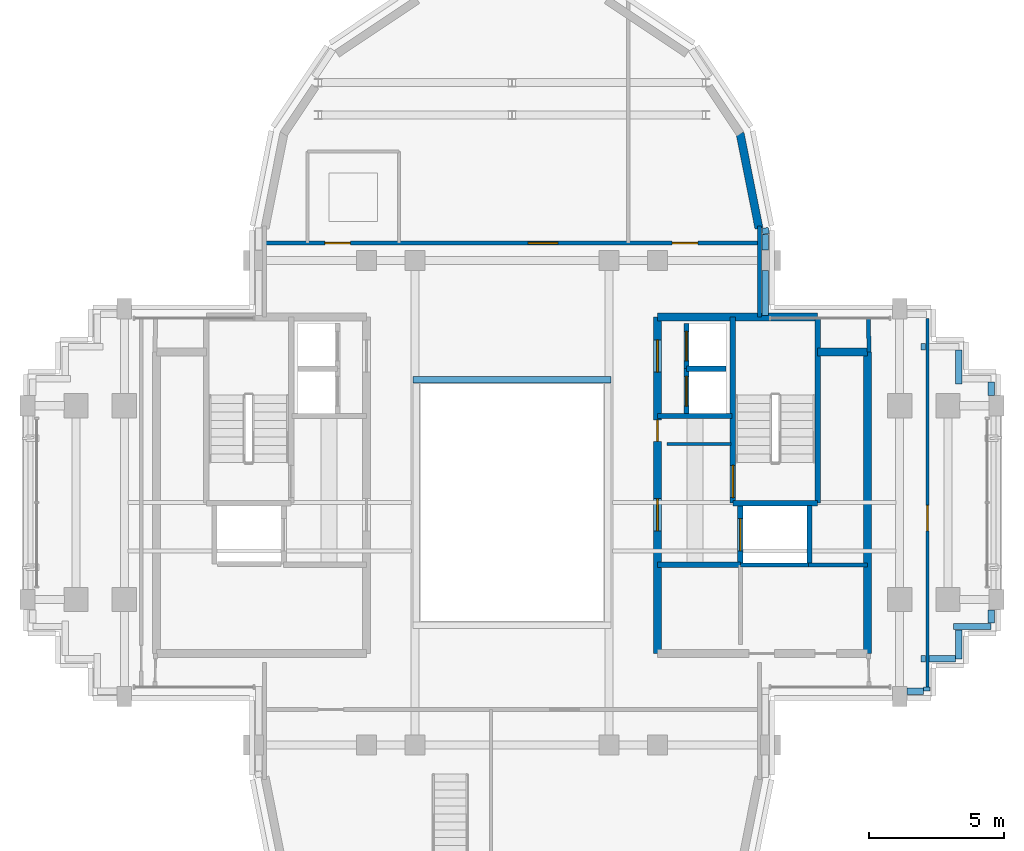
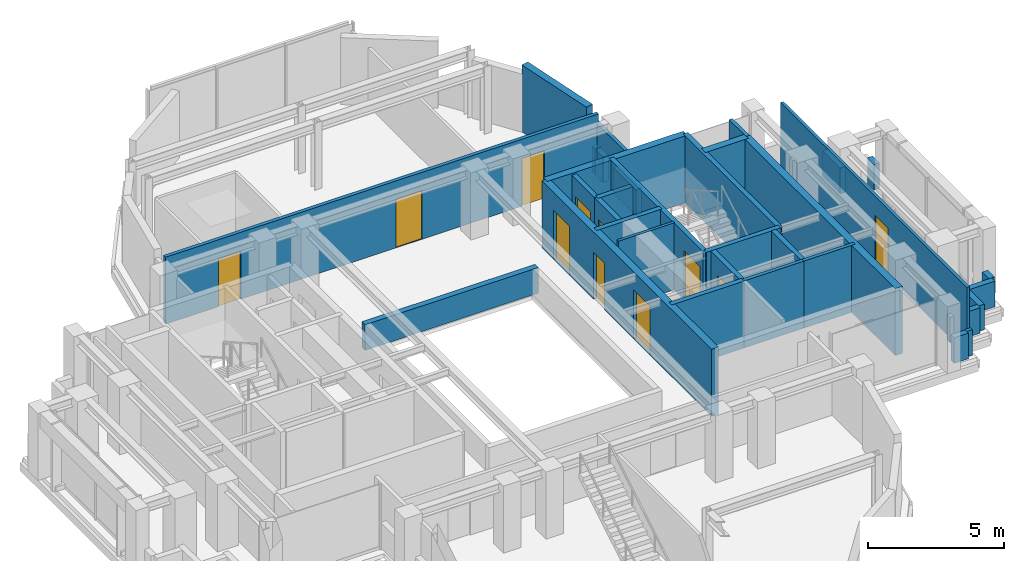
# One storey, part 9 of 12: 36 walls, 11 doors, 11 openings.
"""IFC4 building model written with IfcOpenShell, lengths in metres."""

from ifc_helpers import new_model, si_unit, direction, frame, frame_2d, origin, place, context, subcontext, project, spatial, rectangle, extrude, source, transform, mapped, material, layer, layer_set, type_object, element, fill, save


model = new_model("IFC4")

# Units and contexts
model_context = context("Model", 3, precision=1e-05, world=origin(), true_north=direction((0.0, 1.0)))
body_context = subcontext(model_context, "Body", "Model", "MODEL_VIEW")
ifc_project = project(units=[si_unit("LENGTHUNIT", "METRE"), si_unit("AREAUNIT", "SQUARE_METRE"), si_unit("VOLUMEUNIT", "CUBIC_METRE"), si_unit("PLANEANGLEUNIT", "RADIAN"), si_unit("MASSUNIT", "GRAM", prefix="KILO")], contexts=[model_context])

# Site, building, storey
site_placement = place(None, origin())
site = spatial("IfcSite", under=ifc_project, at=site_placement, CompositionType="ELEMENT")
building_placement = place(site_placement, origin())
building = spatial("IfcBuilding", under=site, at=building_placement, Name="Keilestroom Media Tower", CompositionType="ELEMENT")
storey_placement = place(building_placement, frame((0.0, 0.0, 239.60009765625)))
storey = spatial("IfcBuildingStorey", under=building, at=storey_placement, Name="L66", CompositionType="ELEMENT", Elevation=239.60009765625)

# Walls
ifc_material_1 = material(Name="Precast concrete C40/50", Category="concrete")
ifc_layer_1 = layer(ifc_material_1, 0.300048828125)
ifc_layer_set_1 = layer_set([ifc_layer_1], Name="Precast concrete C40/50")
wall_type_1 = type_object("IfcWallType", Name="Exterior-Masonry-Spandrel-Wall-300", PredefinedType="SOLIDWALL", material=ifc_layer_set_1)
wall_1_placement = place(storey_placement, frame((9.1748046875, 10.185302734375, 0.0), z_axis=(0.0, 0.0, 1.0), x_axis=(-0.195114232679, 0.980780523974, 0.0)))
element("IfcWall", 1, at=wall_1_placement, inside=storey, type_object=wall_type_1, Name="L66 Lobe Facet Precast Frame Wall 01", PredefinedType="SOLIDWALL", context=body_context, shape_type="SweptSolid", body=[
    extrude(rectangle(XDim=3.608642578125, YDim=0.300048828125, at=frame_2d((1.80419921875, 0.0))), origin(), (0.0, 0.0, 1.0), 3.010009765625),
])
ifc_material_2 = material(Name="Gypsum Plasterboard & Steel Stud", Category="steel")
ifc_layer_2 = layer(ifc_material_2, 0.1201171875)
ifc_layer_set_2 = layer_set([ifc_layer_2], Name="Gypsum Plasterboard & Steel Stud")
wall_type_2 = type_object("IfcWallType", Name="Interior-Partition-Wall-120", PredefinedType="PARTITIONING", material=ifc_layer_set_2)
wall_2_placement = place(storey_placement, frame((5.75, 2.179931640625, 0.0), z_axis=(0.0, 0.0, 1.0), x_axis=(1.0, 0.0, 0.0)))
element("IfcWall", 2, at=wall_2_placement, inside=storey, type_object=wall_type_2, Name="L66 Interior Wall WP-L66-CIE-S", PredefinedType="PARTITIONING", context=body_context, shape_type="SweptSolid", body=[
    extrude(rectangle(XDim=2.389892578125, YDim=0.1201171875, at=frame_2d((1.19482421875, 0.0))), origin(), (0.0, 0.0, 1.0), 3.010009765625),
])

# Wall, opening, door
wall_3_placement = place(storey_placement, frame((15.429931640625, -6.85009765625, 0.0), z_axis=(0.0, 0.0, 1.0), x_axis=(0.0, 1.0, 0.0)))
wall_3 = element("IfcWall", 3, at=wall_3_placement, inside=storey, type_object=wall_type_2, Name="L66 Interior Wall WP-L66-EA-V", PredefinedType="PARTITIONING", context=body_context, shape_type="SweptSolid", body=[
    extrude(rectangle(XDim=13.7001953125, YDim=0.1201171875, at=frame_2d((6.85009765625, 0.0))), origin(), (0.0, 0.0, 1.0), 3.010009765625),
])
opening_1_placement = place(wall_3_placement, frame((5.800048828125, 0.0, 0.0)))
opening_1 = element("IfcOpeningElement", 4, at=opening_1_placement, cuts=wall_3, Name="Opening DI-03", PredefinedType="OPENING", context=body_context, shape_type="SweptSolid", body=[
    extrude(rectangle(XDim=0.949951171875, YDim=2.14990234375, at=frame_2d((0.47509765625, 1.074951171875))), frame((0.0, 0.070068359375, 0.0), z_axis=(0.0, -1.0, 0.0), x_axis=(1.0, 0.0, 0.0)), (0.0, 0.0, 1.0), 0.14013671875),
])
ifc_material_3 = material(Name="Lacquered European Oak Leaf", Category="wood")
door_type_1 = type_object("IfcDoorType", Name="Interior-Room-And-Suite-Door-DI-03", OperationType="NOTDEFINED", PredefinedType="DOOR", material=ifc_material_3)
shared_shape_1 = source(origin(), body_context, "Body", "SweptSolid", [
    extrude(rectangle(XDim=0.949951171875, YDim=2.14990234375, at=frame_2d((0.47509765625, 1.074951171875))), frame((0.0, 0.02490234375, 0.0), z_axis=(0.0, -1.0, 0.0), x_axis=(1.0, 0.0, 0.0)), (0.0, 0.0, 1.0), 0.050048828125),
])
door_1_placement = place(opening_1_placement, origin())
door_1 = element("IfcDoor", 5, at=door_1_placement, inside=storey, type_object=door_type_1, Name="L66 Interior Door DI-L66-DEA-E", OperationType="SINGLE_SWING_RIGHT", OverallHeight=2.14990234375, OverallWidth=0.949951171875, PredefinedType="DOOR", context=body_context, shape_type="MappedRepresentation", body=[
    mapped(shared_shape_1, transform((0.0, 0.0, 0.0), x_axis=(1.0, 0.0, 0.0), y_axis=(0.0, 1.0, 0.0), z_axis=(0.0, 0.0, 1.0), scale=1.0)),
])
fill(opening_1, door_1)

# Walls
ifc_layer_3 = layer(ifc_material_2, 0.14990234375)
ifc_layer_set_3 = layer_set([ifc_layer_3], Name="Gypsum Plasterboard & Steel Stud")
wall_type_3 = type_object("IfcWallType", Name="Interior-Partition-Wall-150", PredefinedType="PARTITIONING", material=ifc_layer_set_3)
wall_4_placement = place(storey_placement, frame((11.02001953125, -2.320068359375, 0.0), z_axis=(0.0, 0.0, 1.0), x_axis=(1.0, 0.0, 0.0)))
element("IfcWall", 6, at=wall_4_placement, inside=storey, type_object=wall_type_3, Name="L66 Interior Wall WP-L66-RECLE-N", PredefinedType="PARTITIONING", context=body_context, shape_type="SweptSolid", body=[
    extrude(rectangle(XDim=2.179931640625, YDim=0.14990234375, at=frame_2d((1.08984375, 0.0))), origin(), (0.0, 0.0, 1.0), 3.010009765625),
])
wall_5_placement = place(storey_placement, frame((8.47998046875, -2.320068359375, 0.0), z_axis=(0.0, 0.0, 1.0), x_axis=(1.0, 0.0, 0.0)))
element("IfcWall", 7, at=wall_5_placement, inside=storey, type_object=wall_type_3, Name="L66 Interior Wall WP-L66-RECME-N", PredefinedType="PARTITIONING", context=body_context, shape_type="SweptSolid", body=[
    extrude(rectangle(XDim=2.56005859375, YDim=0.14990234375, at=frame_2d((1.280029296875, 0.0))), origin(), (0.0, 0.0, 1.0), 3.010009765625),
])

# Wall, openings, doors
wall_6_placement = place(storey_placement, frame((-9.199951171875, 9.639892578125, 0.0), z_axis=(0.0, 0.0, 1.0), x_axis=(1.0, 0.0, 0.0)))
wall_6 = element("IfcWall", 8, at=wall_6_placement, inside=storey, type_object=wall_type_3, Name="L66 Interior Wall WP-L66-NL-BASE", PredefinedType="PARTITIONING", context=body_context, shape_type="SweptSolid", body=[
    extrude(rectangle(XDim=18.39990234375, YDim=0.14990234375, at=frame_2d((9.199951171875, 0.0))), origin(), (0.0, 0.0, 1.0), 3.010009765625),
])
opening_2_placement = place(wall_6_placement, frame((2.25, 0.0, 0.0)))
opening_2 = element("IfcOpeningElement", 9, at=opening_2_placement, cuts=wall_6, Name="Opening DI-03", PredefinedType="OPENING", context=body_context, shape_type="SweptSolid", body=[
    extrude(rectangle(XDim=0.949951171875, YDim=2.14990234375, at=frame_2d((0.47509765625, 1.074951171875))), frame((0.0, 0.0849609375, 0.0), z_axis=(0.0, -1.0, 0.0), x_axis=(1.0, 0.0, 0.0)), (0.0, 0.0, 1.0), 0.169921875),
])
opening_3_placement = place(wall_6_placement, frame((9.800048828125, 0.0, 0.0)))
opening_3 = element("IfcOpeningElement", 10, at=opening_3_placement, cuts=wall_6, Name="Opening DI-04", PredefinedType="OPENING", context=body_context, shape_type="SweptSolid", body=[
    extrude(rectangle(XDim=1.10009765625, YDim=2.199951171875, at=frame_2d((0.550048828125, 1.10009765625))), frame((0.0, 0.0849609375, 0.0), z_axis=(0.0, -1.0, 0.0), x_axis=(1.0, 0.0, 0.0)), (0.0, 0.0, 1.0), 0.169921875),
])
opening_4_placement = place(wall_6_placement, frame((15.14990234375, 0.0, 0.0)))
opening_4 = element("IfcOpeningElement", 11, at=opening_4_placement, cuts=wall_6, Name="Opening DI-03", PredefinedType="OPENING", context=body_context, shape_type="SweptSolid", body=[
    extrude(rectangle(XDim=0.949951171875, YDim=2.14990234375, at=frame_2d((0.47509765625, 1.074951171875))), frame((0.0, 0.0849609375, 0.0), z_axis=(0.0, -1.0, 0.0), x_axis=(1.0, 0.0, 0.0)), (0.0, 0.0, 1.0), 0.169921875),
])
door_2_placement = place(opening_2_placement, origin())
door_2 = element("IfcDoor", 12, at=door_2_placement, inside=storey, type_object=door_type_1, Name="L66 Interior Door DI-L66-DNL-WC", OperationType="SINGLE_SWING_LEFT", OverallHeight=2.14990234375, OverallWidth=0.949951171875, PredefinedType="DOOR", context=body_context, shape_type="MappedRepresentation", body=[
    mapped(shared_shape_1, transform((0.0, 0.0, 0.0), x_axis=(1.0, 0.0, 0.0), y_axis=(0.0, 1.0, 0.0), z_axis=(0.0, 0.0, 1.0), scale=1.0)),
])
fill(opening_2, door_2)
door_3_placement = place(opening_4_placement, origin())
door_3 = element("IfcDoor", 13, at=door_3_placement, inside=storey, type_object=door_type_1, Name="L66 Interior Door DI-L66-DNL-B", OperationType="SINGLE_SWING_LEFT", OverallHeight=2.14990234375, OverallWidth=0.949951171875, PredefinedType="DOOR", context=body_context, shape_type="MappedRepresentation", body=[
    mapped(shared_shape_1, transform((0.0, 0.0, 0.0), x_axis=(1.0, 0.0, 0.0), y_axis=(0.0, 1.0, 0.0), z_axis=(0.0, 0.0, 1.0), scale=1.0)),
])
fill(opening_4, door_3)
ifc_material_4 = material(Name="Acoustic Glazed Aluminium Leaf", Category="aluminium")
door_type_2 = type_object("IfcDoorType", Name="Interior-Room-And-Suite-Door-DI-04", OperationType="NOTDEFINED", PredefinedType="DOOR", material=ifc_material_4)
shared_shape_2 = source(origin(), body_context, "Body", "SweptSolid", [
    extrude(rectangle(XDim=1.10009765625, YDim=2.199951171875, at=frame_2d((0.550048828125, 1.10009765625))), frame((0.0, 0.02490234375, 0.0), z_axis=(0.0, -1.0, 0.0), x_axis=(1.0, 0.0, 0.0)), (0.0, 0.0, 1.0), 0.050048828125),
])
door_4_placement = place(opening_3_placement, origin())
door_4 = element("IfcDoor", 14, at=door_4_placement, inside=storey, type_object=door_type_2, Name="L66 Interior Door DI-L66-DNL-A", OperationType="SINGLE_SWING_RIGHT", OverallHeight=2.199951171875, OverallWidth=1.10009765625, PredefinedType="DOOR", context=body_context, shape_type="MappedRepresentation", body=[
    mapped(shared_shape_2, transform((0.0, 0.0, 0.0), x_axis=(1.0, 0.0, 0.0), y_axis=(0.0, 1.0, 0.0), z_axis=(0.0, 0.0, 1.0), scale=1.0)),
])
fill(opening_3, door_4)

# Walls
wall_7_placement = place(storey_placement, frame((9.199951171875, 6.89990234375, 0.0), z_axis=(0.0, 0.0, 1.0), x_axis=(0.0, 1.0, 0.0)))
element("IfcWall", 15, at=wall_7_placement, inside=storey, type_object=wall_type_3, Name="L66 Interior Wall WP-L66-NL-CHKE", PredefinedType="PARTITIONING", context=body_context, shape_type="SweptSolid", body=[
    extrude(rectangle(XDim=3.380126953125, YDim=0.14990234375, at=frame_2d((1.68994140625, 0.0))), origin(), (0.0, 0.0, 1.0), 2.60986328125),
])
wall_8_placement = place(storey_placement, frame((13.260009765625, 5.60009765625, 0.0), z_axis=(0.0, 0.0, 1.0), x_axis=(-0.016013571389, 0.999871774545, 0.0)))
element("IfcWall", 16, at=wall_8_placement, inside=storey, type_object=wall_type_3, Name="L66 Interior Wall WP-L66-EA-ENTN", PredefinedType="PARTITIONING", context=body_context, shape_type="SweptSolid", body=[
    extrude(rectangle(XDim=1.250244140625, YDim=0.14990234375, at=frame_2d((0.625, 0.0))), origin(), (0.0, 0.0, 1.0), 3.010009765625),
])
ifc_material_5 = material(Name="Concrete C50/60", Category="concrete")
ifc_layer_4 = layer(ifc_material_5, 0.300048828125)
ifc_layer_set_4 = layer_set([ifc_layer_4], Name="Concrete C50/60")
wall_type_4 = type_object("IfcWallType", Name="Reinforced-Concrete-Core-Shear-Wall-300", PredefinedType="SHEAR", material=ifc_layer_set_4)
wall_9_placement = place(storey_placement, frame((13.199951171875, -5.60009765625, 0.0), z_axis=(0.0, 0.0, 1.0), x_axis=(0.0, 1.0, 0.0)))
element("IfcWall", 17, at=wall_9_placement, inside=storey, type_object=wall_type_4, Name="L66 Core Shear Wall WL-L66-CORE-E-OUT", PredefinedType="SHEAR", context=body_context, shape_type="SweptSolid", body=[
    extrude(rectangle(XDim=11.2001953125, YDim=0.300048828125, at=frame_2d((5.60009765625, 0.0))), origin(), (0.0, 0.0, 1.0), 3.010009765625),
])

# Wall, openings, doors
wall_10_placement = place(storey_placement, frame((5.39990234375, -5.60009765625, 0.0), z_axis=(0.0, 0.0, 1.0), x_axis=(0.0, 1.0, 0.0)))
wall_10 = element("IfcWall", 18, at=wall_10_placement, inside=storey, type_object=wall_type_4, Name="L66 Core Shear Wall WL-L66-CORE-E-IN", PredefinedType="SHEAR", context=body_context, shape_type="SweptSolid", body=[
    extrude(rectangle(XDim=12.5, YDim=0.300048828125, at=frame_2d((6.25, 0.0))), origin(), (0.0, 0.0, 1.0), 3.010009765625),
])
opening_5_placement = place(wall_10_placement, frame((4.550048828125, 0.0, 0.0)))
opening_5 = element("IfcOpeningElement", 19, at=opening_5_placement, cuts=wall_10, Name="Opening DI-02", PredefinedType="OPENING", context=body_context, shape_type="SweptSolid", body=[
    extrude(rectangle(XDim=1.199951171875, YDim=2.199951171875, at=frame_2d((0.60009765625, 1.10009765625))), frame((0.0, 0.16015625, 0.0), z_axis=(0.0, -1.0, 0.0), x_axis=(1.0, 0.0, 0.0)), (0.0, 0.0, 1.0), 0.320068359375),
])
opening_6_placement = place(wall_10_placement, frame((10.449951171875, 0.0, 0.0)))
opening_6 = element("IfcOpeningElement", 20, at=opening_6_placement, cuts=wall_10, Name="Opening DI-02", PredefinedType="OPENING", context=body_context, shape_type="SweptSolid", body=[
    extrude(rectangle(XDim=1.199951171875, YDim=2.199951171875, at=frame_2d((0.60009765625, 1.10009765625))), frame((0.0, 0.16015625, 0.0), z_axis=(0.0, -1.0, 0.0), x_axis=(1.0, 0.0, 0.0)), (0.0, 0.0, 1.0), 0.320068359375),
])
opening_7_placement = place(wall_10_placement, frame((7.8798828125, 0.0, 0.0)))
opening_7 = element("IfcOpeningElement", 21, at=opening_7_placement, cuts=wall_10, Name="Opening DI-06", PredefinedType="OPENING", context=body_context, shape_type="SweptSolid", body=[
    extrude(rectangle(XDim=0.800048828125, YDim=2.10009765625, at=frame_2d((0.39990234375, 1.050048828125))), frame((0.0, 0.16015625, 0.0), z_axis=(0.0, -1.0, 0.0), x_axis=(1.0, 0.0, 0.0)), (0.0, 0.0, 1.0), 0.320068359375),
])
ifc_material_6 = material(Name="Powder-Coated Steel Fire Leaf", Category="steel")
door_type_3 = type_object("IfcDoorType", Name="Interior-Compartment-Fire-Door-DI-02", OperationType="NOTDEFINED", PredefinedType="DOOR", material=ifc_material_6)
shared_shape_3 = source(origin(), body_context, "Body", "SweptSolid", [
    extrude(rectangle(XDim=1.199951171875, YDim=2.199951171875, at=frame_2d((0.60009765625, 1.10009765625))), frame((0.0, 0.02490234375, 0.0), z_axis=(0.0, -1.0, 0.0), x_axis=(1.0, 0.0, 0.0)), (0.0, 0.0, 1.0), 0.050048828125),
])
door_5_placement = place(opening_5_placement, origin())
door_5 = element("IfcDoor", 22, at=door_5_placement, inside=storey, type_object=door_type_3, Name="L66 E Firefighting Lobby Door", OperationType="SINGLE_SWING_LEFT", OverallHeight=2.199951171875, OverallWidth=1.199951171875, PredefinedType="DOOR", context=body_context, shape_type="MappedRepresentation", body=[
    mapped(shared_shape_3, transform((0.0, 0.0, 0.0), x_axis=(1.0, 0.0, 0.0), y_axis=(0.0, 1.0, 0.0), z_axis=(0.0, 0.0, 1.0), scale=1.0)),
])
fill(opening_5, door_5)
door_6_placement = place(opening_6_placement, origin())
door_6 = element("IfcDoor", 23, at=door_6_placement, inside=storey, type_object=door_type_3, Name="L66 E High-Rise Lift Lobby Door", OperationType="SINGLE_SWING_RIGHT", OverallHeight=2.199951171875, OverallWidth=1.199951171875, PredefinedType="DOOR", context=body_context, shape_type="MappedRepresentation", body=[
    mapped(shared_shape_3, transform((0.0, 0.0, 0.0), x_axis=(1.0, 0.0, 0.0), y_axis=(0.0, 1.0, 0.0), z_axis=(0.0, 0.0, 1.0), scale=1.0)),
])
fill(opening_6, door_6)
ifc_material_7 = material(Name="Powder-Coated Steel Service Leaf", Category="steel")
door_type_4 = type_object("IfcDoorType", Name="Interior-Riser-Access-Door-DI-06", OperationType="NOTDEFINED", PredefinedType="DOOR", material=ifc_material_7)
shared_shape_4 = source(origin(), body_context, "Body", "SweptSolid", [
    extrude(rectangle(XDim=0.800048828125, YDim=2.10009765625, at=frame_2d((0.39990234375, 1.050048828125))), frame((0.0, 0.02490234375, 0.0), z_axis=(0.0, -1.0, 0.0), x_axis=(1.0, 0.0, 0.0)), (0.0, 0.0, 1.0), 0.050048828125),
])
door_7_placement = place(opening_7_placement, origin())
door_7 = element("IfcDoor", 24, at=door_7_placement, inside=storey, type_object=door_type_4, Name="L66 East Core Closet Door", OperationType="SINGLE_SWING_RIGHT", OverallHeight=2.10009765625, OverallWidth=0.800048828125, PredefinedType="DOOR", context=body_context, shape_type="MappedRepresentation", body=[
    mapped(shared_shape_4, transform((0.0, 0.0, 0.0), x_axis=(1.0, 0.0, 0.0), y_axis=(0.0, 1.0, 0.0), z_axis=(0.0, 0.0, 1.0), scale=1.0)),
])
fill(opening_7, door_7)

# Walls
wall_11_placement = place(storey_placement, frame((5.39990234375, 6.89990234375, 0.0), z_axis=(0.0, 0.0, 1.0), x_axis=(1.0, 0.0, 0.0)))
element("IfcWall", 25, at=wall_11_placement, inside=storey, type_object=wall_type_4, Name="L66 Core Shear Wall WL-L66-CORE-E-N", PredefinedType="SHEAR", context=body_context, shape_type="SweptSolid", body=[
    extrude(rectangle(XDim=5.9560546875, YDim=0.300048828125, at=frame_2d((2.97802734375, 0.0))), origin(), (0.0, 0.0, 1.0), 3.010009765625),
])
wall_12_placement = place(storey_placement, frame((11.35595703125, 5.60009765625, 0.0), z_axis=(0.0, 0.0, 1.0), x_axis=(1.0, 0.0, 0.0)))
element("IfcWall", 26, at=wall_12_placement, inside=storey, type_object=wall_type_4, Name="L66 Core Shear Wall WL-L66-CNE-N", PredefinedType="SHEAR", context=body_context, shape_type="SweptSolid", body=[
    extrude(rectangle(XDim=1.843994140625, YDim=0.300048828125, at=frame_2d((0.921875, 0.0))), origin(), (0.0, 0.0, 1.0), 3.010009765625),
])
ifc_layer_5 = layer(ifc_material_5, 0.199951171875)
ifc_layer_set_5 = layer_set([ifc_layer_5], Name="Concrete C50/60")
wall_type_5 = type_object("IfcWallType", Name="Reinforced-Concrete-Shaft-Wall-200", PredefinedType="SOLIDWALL", material=ifc_layer_set_5)
wall_13_placement = place(storey_placement, frame((5.39990234375, 3.219970703125, 0.0), z_axis=(0.0, 0.0, 1.0), x_axis=(1.0, 0.0, 0.0)))
element("IfcWall", 27, at=wall_13_placement, inside=storey, type_object=wall_type_5, Name="L66 Core Shear Wall WL-L66-CORE-E-FFN", PredefinedType="SOLIDWALL", context=body_context, shape_type="SweptSolid", body=[
    extrude(rectangle(XDim=2.780029296875, YDim=0.199951171875, at=frame_2d((1.39013671875, 0.0))), origin(), (0.0, 0.0, 1.0), 3.010009765625),
])
wall_14_placement = place(storey_placement, frame((5.39990234375, -2.300048828125, 0.0), z_axis=(0.0, 0.0, 1.0), x_axis=(1.0, 0.0, 0.0)))
element("IfcWall", 28, at=wall_14_placement, inside=storey, type_object=wall_type_5, Name="L66 Core Shear Wall WL-L66-CORE-E-FFS", PredefinedType="SOLIDWALL", context=body_context, shape_type="SweptSolid", body=[
    extrude(rectangle(XDim=3.080078125, YDim=0.199951171875, at=frame_2d((1.5400390625, 0.0))), origin(), (0.0, 0.0, 1.0), 3.010009765625),
])

# Wall, opening, door
wall_15_placement = place(storey_placement, frame((8.2041015625, -0.01611328125, 0.0), z_axis=(0.0, 0.0, 1.0), x_axis=(0.0, 1.0, 0.0)))
wall_15 = element("IfcWall", 29, at=wall_15_placement, inside=storey, type_object=wall_type_5, Name="L66 Core Shear Wall WL-L66-STW-E-NEAR", PredefinedType="SOLIDWALL", context=body_context, shape_type="SweptSolid", body=[
    extrude(rectangle(XDim=6.916015625, YDim=0.199951171875, at=frame_2d((3.4580078125, 0.0))), origin(), (0.0, 0.0, 1.0), 3.010009765625),
])
opening_8_placement = place(wall_15_placement, frame((0.199951171875, 0.0, 0.0)))
opening_8 = element("IfcOpeningElement", 30, at=opening_8_placement, cuts=wall_15, Name="Opening DI-01S", PredefinedType="OPENING", context=body_context, shape_type="SweptSolid", body=[
    extrude(rectangle(XDim=1.199951171875, YDim=2.199951171875, at=frame_2d((0.60009765625, 1.10009765625))), frame((0.0, 0.10986328125, 0.0), z_axis=(0.0, -1.0, 0.0), x_axis=(1.0, 0.0, 0.0)), (0.0, 0.0, 1.0), 0.219970703125),
])
door_type_5 = type_object("IfcDoorType", Name="Interior-Stair-And-Core-Fire-Door-DI-01", OperationType="NOTDEFINED", PredefinedType="DOOR", material=ifc_material_6)
door_8_placement = place(opening_8_placement, origin())
door_8 = element("IfcDoor", 31, at=door_8_placement, inside=storey, type_object=door_type_5, Name="L66 Escape Stair ST-2 Fire Door", OperationType="SINGLE_SWING_RIGHT", OverallHeight=2.199951171875, OverallWidth=1.199951171875, PredefinedType="DOOR", context=body_context, shape_type="MappedRepresentation", body=[
    mapped(shared_shape_3, transform((0.0, 0.0, 0.0), x_axis=(1.0, 0.0, 0.0), y_axis=(0.0, 1.0, 0.0), z_axis=(0.0, 0.0, 1.0), scale=1.0)),
])
fill(opening_8, door_8)

# Walls
wall_16_placement = place(storey_placement, frame((11.35595703125, -0.01611328125, 0.0), z_axis=(0.0, 0.0, 1.0), x_axis=(0.0, 1.0, 0.0)))
element("IfcWall", 32, at=wall_16_placement, inside=storey, type_object=wall_type_5, Name="L66 Core Shear Wall WL-L66-STW-E-FAR", PredefinedType="SOLIDWALL", context=body_context, shape_type="SweptSolid", body=[
    extrude(rectangle(XDim=6.916015625, YDim=0.199951171875, at=frame_2d((3.4580078125, 0.0))), origin(), (0.0, 0.0, 1.0), 3.010009765625),
])
wall_17_placement = place(storey_placement, frame((8.2041015625, -0.01611328125, 0.0), z_axis=(0.0, 0.0, 1.0), x_axis=(1.0, 0.0, 0.0)))
element("IfcWall", 33, at=wall_17_placement, inside=storey, type_object=wall_type_5, Name="L66 Core Shear Wall WL-L66-STW-E-S", PredefinedType="SOLIDWALL", context=body_context, shape_type="SweptSolid", body=[
    extrude(rectangle(XDim=3.15185546875, YDim=0.199951171875, at=frame_2d((1.575927734375, 0.0))), origin(), (0.0, 0.0, 1.0), 3.010009765625),
])

# Wall, opening, door
wall_18_placement = place(storey_placement, frame((8.47998046875, -2.280029296875, 0.0), z_axis=(0.0, 0.0, 1.0), x_axis=(0.0, 1.0, 0.0)))
wall_18 = element("IfcWall", 34, at=wall_18_placement, inside=storey, type_object=wall_type_5, Name="L66 Core Shear Wall WL-L66-LSH-FFL-2-W", PredefinedType="SOLIDWALL", context=body_context, shape_type="SweptSolid", body=[
    extrude(rectangle(XDim=2.179931640625, YDim=0.199951171875, at=frame_2d((1.08984375, 0.0))), origin(), (0.0, 0.0, 1.0), 3.010009765625),
])
opening_9_placement = place(wall_18_placement, frame((0.489990234375, 0.0, 0.0)))
opening_9 = element("IfcOpeningElement", 35, at=opening_9_placement, cuts=wall_18, Name="Opening LD-02", PredefinedType="OPENING", context=body_context, shape_type="SweptSolid", body=[
    extrude(rectangle(XDim=1.199951171875, YDim=2.199951171875, at=frame_2d((0.60009765625, 1.10009765625))), frame((0.0, 0.10986328125, 0.0), z_axis=(0.0, -1.0, 0.0), x_axis=(1.0, 0.0, 0.0)), (0.0, 0.0, 1.0), 0.219970703125),
])
ifc_material_8 = material(Name="Brushed Stainless Steel Sliding Leaf", Category="steel")
door_type_6 = type_object("IfcDoorType", Name="Lift-Landing-Sliding-Door-LD-02", OperationType="SLIDING_TO_RIGHT", PredefinedType="DOOR", material=ifc_material_8)
door_9_placement = place(opening_9_placement, origin())
door_9 = element("IfcDoor", 36, at=door_9_placement, inside=storey, type_object=door_type_6, Name="L66 Lift FFL-2 Landing Sliding Door", OperationType="SLIDING_TO_RIGHT", OverallHeight=2.199951171875, OverallWidth=1.199951171875, PredefinedType="DOOR", context=body_context, shape_type="MappedRepresentation", body=[
    mapped(shared_shape_3, transform((0.0, 0.0, 0.0), x_axis=(1.0, 0.0, 0.0), y_axis=(0.0, 1.0, 0.0), z_axis=(0.0, 0.0, 1.0), scale=1.0)),
])
fill(opening_9, door_9)

# Wall
wall_19_placement = place(storey_placement, frame((11.050048828125, -2.280029296875, 0.0), z_axis=(0.0, 0.0, 1.0), x_axis=(0.0, 1.0, 0.0)))
element("IfcWall", 37, at=wall_19_placement, inside=storey, type_object=wall_type_5, Name="L66 Core Shear Wall WL-L66-LSH-FFL-2-E", PredefinedType="SOLIDWALL", context=body_context, shape_type="SweptSolid", body=[
    extrude(rectangle(XDim=2.179931640625, YDim=0.199951171875, at=frame_2d((1.08984375, 0.0))), origin(), (0.0, 0.0, 1.0), 3.010009765625),
])

# Wall, opening, door
wall_20_placement = place(storey_placement, frame((6.47998046875, 3.300048828125, 0.0), z_axis=(0.0, 0.0, 1.0), x_axis=(0.0, 1.0, 0.0)))
wall_20 = element("IfcWall", 38, at=wall_20_placement, inside=storey, type_object=wall_type_5, Name="L66 Core Shear Wall WL-L66-LSH-PL-H3-W", PredefinedType="SOLIDWALL", context=body_context, shape_type="SweptSolid", body=[
    extrude(rectangle(XDim=1.679931640625, YDim=0.199951171875, at=frame_2d((0.83984375, 0.0))), origin(), (0.0, 0.0, 1.0), 3.010009765625),
])
opening_10_placement = place(wall_20_placement, frame((0.2900390625, 0.0, 0.0)))
opening_10 = element("IfcOpeningElement", 39, at=opening_10_placement, cuts=wall_20, Name="Opening LD-01", PredefinedType="OPENING", context=body_context, shape_type="SweptSolid", body=[
    extrude(rectangle(XDim=1.10009765625, YDim=2.199951171875, at=frame_2d((0.550048828125, 1.10009765625))), frame((0.0, 0.10986328125, 0.0), z_axis=(0.0, -1.0, 0.0), x_axis=(1.0, 0.0, 0.0)), (0.0, 0.0, 1.0), 0.219970703125),
])
door_type_7 = type_object("IfcDoorType", Name="Lift-Landing-Sliding-Door-LD-01", OperationType="SLIDING_TO_LEFT", PredefinedType="DOOR", material=ifc_material_8)
door_10_placement = place(opening_10_placement, origin())
door_10 = element("IfcDoor", 40, at=door_10_placement, inside=storey, type_object=door_type_7, Name="L66 Lift PL-H3 Landing Sliding Door", OperationType="SLIDING_TO_LEFT", OverallHeight=2.199951171875, OverallWidth=1.10009765625, PredefinedType="DOOR", context=body_context, shape_type="MappedRepresentation", body=[
    mapped(shared_shape_2, transform((0.0, 0.0, 0.0), x_axis=(1.0, 0.0, 0.0), y_axis=(0.0, 1.0, 0.0), z_axis=(0.0, 0.0, 1.0), scale=1.0)),
])
fill(opening_10, door_10)

# Wall
wall_21_placement = place(storey_placement, frame((6.47998046875, 4.97998046875, 0.0), z_axis=(0.0, 0.0, 1.0), x_axis=(1.0, 0.0, 0.0)))
element("IfcWall", 41, at=wall_21_placement, inside=storey, type_object=wall_type_5, Name="L66 Core Shear Wall WL-L66-LSH-PL-H3-N", PredefinedType="SOLIDWALL", context=body_context, shape_type="SweptSolid", body=[
    extrude(rectangle(XDim=1.469970703125, YDim=0.199951171875, at=frame_2d((0.73486328125, 0.0))), origin(), (0.0, 0.0, 1.0), 3.010009765625),
])

# Wall, opening, door
wall_22_placement = place(storey_placement, frame((6.47998046875, 4.97998046875, 0.0), z_axis=(0.0, 0.0, 1.0), x_axis=(0.0, 1.0, 0.0)))
wall_22 = element("IfcWall", 42, at=wall_22_placement, inside=storey, type_object=wall_type_5, Name="L66 Core Shear Wall WL-L66-LSH-PL-H4-W", PredefinedType="SOLIDWALL", context=body_context, shape_type="SweptSolid", body=[
    extrude(rectangle(XDim=1.669921875, YDim=0.199951171875, at=frame_2d((0.8349609375, 0.0))), origin(), (0.0, 0.0, 1.0), 3.010009765625),
])
opening_11_placement = place(wall_22_placement, frame((0.284912109375, 0.0, 0.0)))
opening_11 = element("IfcOpeningElement", 43, at=opening_11_placement, cuts=wall_22, Name="Opening LD-01", PredefinedType="OPENING", context=body_context, shape_type="SweptSolid", body=[
    extrude(rectangle(XDim=1.10009765625, YDim=2.199951171875, at=frame_2d((0.550048828125, 1.10009765625))), frame((0.0, 0.10986328125, 0.0), z_axis=(0.0, -1.0, 0.0), x_axis=(1.0, 0.0, 0.0)), (0.0, 0.0, 1.0), 0.219970703125),
])
door_11_placement = place(opening_11_placement, origin())
door_11 = element("IfcDoor", 44, at=door_11_placement, inside=storey, type_object=door_type_7, Name="L66 Lift PL-H4 Landing Sliding Door", OperationType="SLIDING_TO_LEFT", OverallHeight=2.199951171875, OverallWidth=1.10009765625, PredefinedType="DOOR", context=body_context, shape_type="MappedRepresentation", body=[
    mapped(shared_shape_2, transform((0.0, 0.0, 0.0), x_axis=(1.0, 0.0, 0.0), y_axis=(0.0, 1.0, 0.0), z_axis=(0.0, 0.0, 1.0), scale=1.0)),
])
fill(opening_11, door_11)

# Walls
ifc_layer_6 = layer(ifc_material_1, 0.239990234375)
ifc_layer_set_6 = layer_set([ifc_layer_6], Name="Precast concrete C40/50")
wall_type_6 = type_object("IfcWallType", Name="Roof-And-Terrace-Parapet-Wall-240", PredefinedType="PARAPET", material=ifc_layer_set_6)
wall_23_placement = place(storey_placement, frame((17.800048828125, -4.60009765625, 0.0), z_axis=(0.0, 0.0, 1.0), x_axis=(-1.0, 0.0, 0.0)))
element("IfcWall", 45, at=wall_23_placement, inside=storey, type_object=wall_type_6, Name="L66 Perimeter Edge Parapet Wall 01", PredefinedType="PARAPET", context=body_context, shape_type="SweptSolid", body=[
    extrude(rectangle(XDim=1.400146484375, YDim=0.239990234375, at=frame_2d((0.7001953125, 0.0))), origin(), (0.0, 0.0, 1.0), 1.14990234375),
])
wall_24_placement = place(storey_placement, frame((16.60009765625, -4.722900390625, 0.0), z_axis=(0.0, 0.0, 1.0), x_axis=(0.0, -1.0, 0.0)))
element("IfcWall", 46, at=wall_24_placement, inside=storey, type_object=wall_type_6, Name="L66 Perimeter Edge Parapet Wall 02", PredefinedType="PARAPET", context=body_context, shape_type="SweptSolid", body=[
    extrude(rectangle(XDim=1.0771484375, YDim=0.239990234375, at=frame_2d((0.53857421875, 0.0))), origin(), (0.0, 0.0, 1.0), 1.14990234375),
])
wall_25_placement = place(storey_placement, frame((16.47705078125, -5.800048828125, 0.0), z_axis=(0.0, 0.0, 1.0), x_axis=(-1.0, 0.0, 0.0)))
element("IfcWall", 47, at=wall_25_placement, inside=storey, type_object=wall_type_6, Name="L66 Perimeter Edge Parapet Wall 03", PredefinedType="PARAPET", context=body_context, shape_type="SweptSolid", body=[
    extrude(rectangle(XDim=0.984130859375, YDim=0.239990234375, at=frame_2d((0.4921875, 0.0))), origin(), (0.0, 0.0, 1.0), 1.14990234375),
])
wall_26_placement = place(storey_placement, frame((15.366943359375, -5.800048828125, 0.0), z_axis=(0.0, 0.0, 1.0), x_axis=(-1.0, 0.0, 0.0)))
element("IfcWall", 48, at=wall_26_placement, inside=storey, type_object=wall_type_6, Name="L66 Perimeter Edge Parapet Wall 04", PredefinedType="PARAPET", context=body_context, shape_type="SweptSolid", body=[
    extrude(rectangle(XDim=0.1669921875, YDim=0.239990234375, at=frame_2d((0.08349609375, 0.0))), origin(), (0.0, 0.0, 1.0), 1.14990234375),
])
wall_27_placement = place(storey_placement, frame((15.39990234375, -6.85302734375, 0.0), z_axis=(0.0, 0.0, 1.0), x_axis=(0.0, -1.0, 0.0)))
element("IfcWall", 49, at=wall_27_placement, inside=storey, type_object=wall_type_6, Name="L66 Perimeter Edge Parapet Wall 05", PredefinedType="PARAPET", context=body_context, shape_type="SweptSolid", body=[
    extrude(rectangle(XDim=0.14697265625, YDim=0.239990234375, at=frame_2d((0.073486328125, 0.0))), origin(), (0.0, 0.0, 1.0), 1.14990234375),
])
wall_28_placement = place(storey_placement, frame((15.277099609375, -7.0, 0.0), z_axis=(0.0, 0.0, 1.0), x_axis=(-1.0, 0.0, 0.0)))
element("IfcWall", 50, at=wall_28_placement, inside=storey, type_object=wall_type_6, Name="L66 Perimeter Edge Parapet Wall 06", PredefinedType="PARAPET", context=body_context, shape_type="SweptSolid", body=[
    extrude(rectangle(XDim=0.59912109375, YDim=0.239990234375, at=frame_2d((0.299560546875, 0.0))), origin(), (0.0, 0.0, 1.0), 1.14990234375),
])
wall_29_placement = place(storey_placement, frame((9.395263671875, 10.2041015625, 0.0), z_axis=(0.0, 0.0, 1.0), x_axis=(0.194859894132, -0.980831087221, 0.0)))
element("IfcWall", 51, at=wall_29_placement, inside=storey, type_object=wall_type_6, Name="L66 Perimeter Edge Parapet Wall 29", PredefinedType="PARAPET", context=body_context, shape_type="SweptSolid", body=[
    extrude(rectangle(XDim=0.224365234375, YDim=0.239990234375, at=frame_2d((0.1123046875, 0.0))), origin(), (0.0, 0.0, 1.0), 1.14990234375),
])
wall_30_placement = place(storey_placement, frame((9.39990234375, 9.957763671875, 0.0), z_axis=(0.0, 0.0, 1.0), x_axis=(0.0, -1.0, 0.0)))
element("IfcWall", 52, at=wall_30_placement, inside=storey, type_object=wall_type_6, Name="L66 Perimeter Edge Parapet Wall 30", PredefinedType="PARAPET", context=body_context, shape_type="SweptSolid", body=[
    extrude(rectangle(XDim=0.579833984375, YDim=0.239990234375, at=frame_2d((0.2900390625, 0.0))), origin(), (0.0, 0.0, 1.0), 1.14990234375),
])
wall_31_placement = place(storey_placement, frame((9.39990234375, 8.6220703125, 0.0), z_axis=(0.0, 0.0, 1.0), x_axis=(0.0, -1.0, 0.0)))
element("IfcWall", 53, at=wall_31_placement, inside=storey, type_object=wall_type_6, Name="L66 Perimeter Edge Parapet Wall 31", PredefinedType="PARAPET", context=body_context, shape_type="SweptSolid", body=[
    extrude(rectangle(XDim=1.669189453125, YDim=0.239990234375, at=frame_2d((0.83447265625, 0.0))), origin(), (0.0, 0.0, 1.0), 1.14990234375),
])
wall_32_placement = place(storey_placement, frame((15.199951171875, 5.800048828125, 0.0), z_axis=(0.0, 0.0, 1.0), x_axis=(1.0, 0.0, 0.0)))
element("IfcWall", 54, at=wall_32_placement, inside=storey, type_object=wall_type_6, Name="L66 Perimeter Edge Parapet Wall 33", PredefinedType="PARAPET", context=body_context, shape_type="SweptSolid", body=[
    extrude(rectangle(XDim=0.1669921875, YDim=0.239990234375, at=frame_2d((0.08349609375, 0.0))), origin(), (0.0, 0.0, 1.0), 1.14990234375),
])
wall_33_placement = place(storey_placement, frame((16.60009765625, 5.677001953125, 0.0), z_axis=(0.0, 0.0, 1.0), x_axis=(0.0, -1.0, 0.0)))
element("IfcWall", 55, at=wall_33_placement, inside=storey, type_object=wall_type_6, Name="L66 Perimeter Edge Parapet Wall 35", PredefinedType="PARAPET", context=body_context, shape_type="SweptSolid", body=[
    extrude(rectangle(XDim=1.277099609375, YDim=0.239990234375, at=frame_2d((0.638671875, 0.0))), origin(), (0.0, 0.0, 1.0), 1.14990234375),
])
for number, where, z_axis, x_axis, name in (
    (56, (17.800048828125, 4.47705078125, 0.0), (0.0, 0.0, 1.0), (0.0, -1.0, 0.0), "L66 Perimeter Edge Parapet Wall 37"),
    (57, (17.800048828125, -3.97802734375, 0.0), (0.0, 0.0, 1.0), (0.0, -1.0, 0.0), "L66 Perimeter Edge Parapet Wall 38"),
):
    element("IfcWall", number, at=place(storey_placement, frame(where, z_axis=z_axis, x_axis=x_axis)), inside=storey, type_object=wall_type_6, Name=name, PredefinedType="PARAPET", context=body_context, shape_type="SweptSolid", body=[
        extrude(rectangle(XDim=0.4990234375, YDim=0.239990234375, at=frame_2d((0.24951171875, 0.0))), origin(), (0.0, 0.0, 1.0), 1.14990234375),
    ])
wall_34_placement = place(storey_placement, frame((-3.679931640625, 4.56005859375, 0.0), z_axis=(0.0, 0.0, 1.0), x_axis=(1.0, 0.0, 0.0)))
element("IfcWall", 58, at=wall_34_placement, inside=storey, type_object=wall_type_6, Name="L66 Central Atrium Guard Parapet N", PredefinedType="PARAPET", context=body_context, shape_type="SweptSolid", body=[
    extrude(rectangle(XDim=7.35986328125, YDim=0.239990234375, at=frame_2d((3.679931640625, 0.0))), origin(), (0.0, 0.0, 1.0), 1.14990234375),
])

save(model, "model.ifc")
